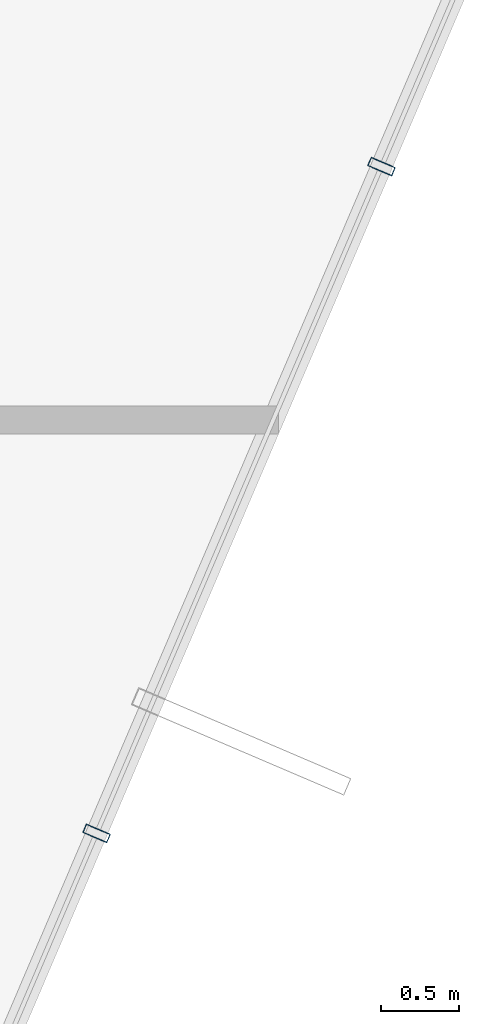
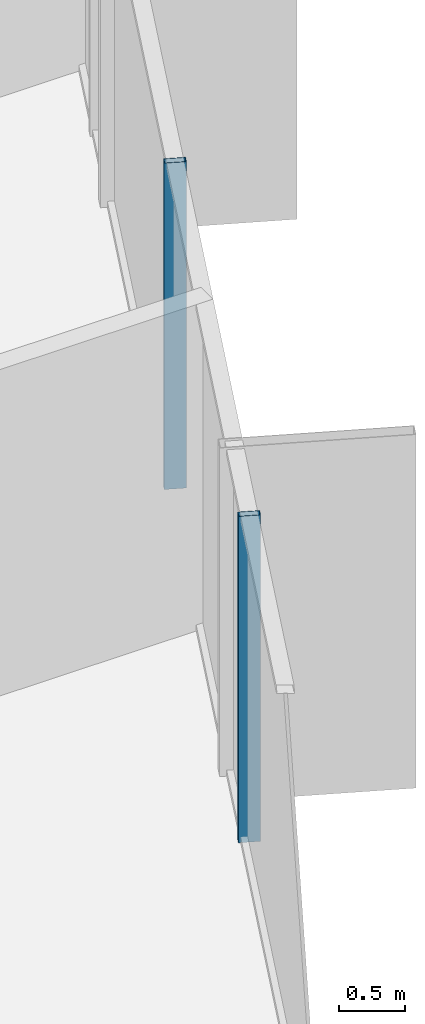
# One storey, part 16 of 37: 2 members, 1 element without a shape of its own.
"""IFC4 building model written with IfcOpenShell, lengths in metres."""

from ifc_helpers import new_model, si_unit, direction, frame, origin, origin_2d, place, context, subcontext, project, spatial, hollow_rectangle, extrude, source, transform, mapped, material, layer, layer_set, material_profile, profile_set, type_object, element, aggregate, save


model = new_model("IFC4")

# Units and contexts
model_context = context("Model", 3, precision=1e-05, world=origin(), true_north=direction((0.0, 1.0)))
body_context = subcontext(model_context, "Body", "Model", "MODEL_VIEW")
ifc_project = project(units=[si_unit("LENGTHUNIT", "METRE"), si_unit("AREAUNIT", "SQUARE_METRE"), si_unit("VOLUMEUNIT", "CUBIC_METRE"), si_unit("PLANEANGLEUNIT", "RADIAN"), si_unit("MASSUNIT", "GRAM", prefix="KILO")], contexts=[model_context])

# Site, building, storey
site_placement = place(None, origin())
site = spatial("IfcSite", under=ifc_project, at=site_placement, CompositionType="ELEMENT")
building_placement = place(site_placement, origin())
building = spatial("IfcBuilding", under=site, at=building_placement, Name="Veraguas Prism Commons", CompositionType="ELEMENT")
storey_placement = place(building_placement, frame((0.0, 0.0, 46.800048828125)))
storey = spatial("IfcBuildingStorey", under=building, at=storey_placement, Name="L12", CompositionType="ELEMENT", Elevation=46.800048828125)

# Curtain wall, members
ifc_material = material(Name="Anodised aluminium EN AW-6063 T6", Category="aluminium")
ifc_layer = layer(ifc_material, 0.169921875, Name="Unitised Flush Curtain Wall Zone 1", Category="aluminium")
ifc_layer_set = layer_set([ifc_layer], Name="Anodised aluminium EN AW-6063 T6")
curtain_wall_type = type_object("IfcCurtainWallType", Name="Unitised Flush Curtain Wall Zone 1", PredefinedType="NOTDEFINED", material=ifc_layer_set)
curtain_wall_placement = place(storey_placement, origin())
curtain_wall = element("IfcCurtainWall", 1, at=curtain_wall_placement, inside=storey, type_object=curtain_wall_type, Name="Tower Facade Curtain Wall L12-F6", PredefinedType="NOTDEFINED")
ifc_material_profile = material_profile(ifc_material, hollow_rectangle(XDim=0.06005859375, YDim=0.169921875, WallThickness=0.00390625, at=origin_2d()), Name="AL60X170X4")
ifc_profile_set = profile_set([ifc_material_profile], Name="Anodised aluminium EN AW-6063 T6")
member_type = type_object("IfcMemberType", Name="Curtain Wall Mullion Lower AL 60x170x4", PredefinedType="MULLION", material=ifc_profile_set)
shared_shape = source(origin(), body_context, "Body", "SweptSolid", [
    extrude(hollow_rectangle(XDim=0.06005859375, YDim=0.169921875, WallThickness=0.00390625, at=origin_2d()), origin(), (0.0, 0.0, 1.0), 3.0),
])
member_1_placement = place(storey_placement, frame((41.27685546875, 11.536865234375, 0.0), z_axis=(0.0, 0.0, 1.0), x_axis=(0.392977572574, 0.919548056087, 0.0)))
member_1 = element("IfcMember", 2, at=member_1_placement, type_object=member_type, Name="CW-Z1 Mullion 2", PredefinedType="MULLION", context=body_context, shape_type="MappedRepresentation", body=[
    mapped(shared_shape, transform((0.0, 0.0, 0.0), scale=1.0)),
])
member_2_placement = place(storey_placement, frame((43.112548828125, 15.83203125, 0.0), z_axis=(0.0, 0.0, 1.0), x_axis=(0.392977572574, 0.919548056087, 0.0)))
member_2 = element("IfcMember", 3, at=member_2_placement, type_object=member_type, Name="CW-Z1 Mullion 3", PredefinedType="MULLION", context=body_context, shape_type="MappedRepresentation", body=[
    mapped(shared_shape, transform((0.0, 0.0, 0.0), scale=1.0)),
])
aggregate(curtain_wall, [member_1, member_2])

save(model, "model.ifc")
